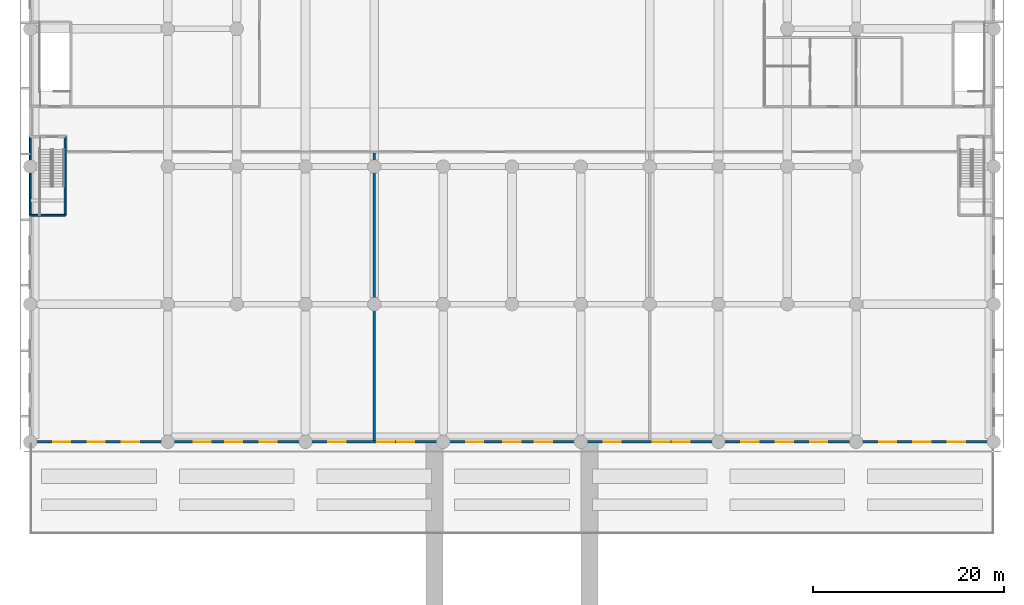
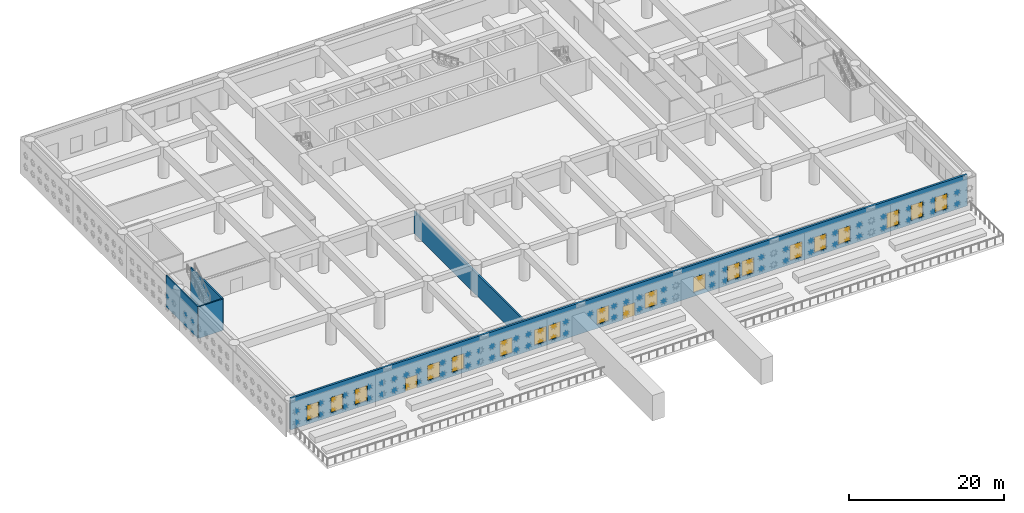
# One storey, part 3 of 24: 19 windows, 5 walls, 2 doors, 21 openings.
"""IFC4 building model written with IfcOpenShell, lengths in metres."""

from ifc_helpers import new_model, si_unit, direction, frame, frame_2d, origin, place, context, subcontext, project, spatial, rectangle, extrude, material, layer, layer_set, type_object, element, fill, save


model = new_model("IFC4")

# Units and contexts
model_context = context("Model", 3, precision=1e-05, world=origin(), true_north=direction((0.0, 1.0)))
body_context = subcontext(model_context, "Body", "Model", "MODEL_VIEW")
ifc_project = project(units=[si_unit("LENGTHUNIT", "METRE"), si_unit("AREAUNIT", "SQUARE_METRE"), si_unit("VOLUMEUNIT", "CUBIC_METRE"), si_unit("PLANEANGLEUNIT", "RADIAN"), si_unit("MASSUNIT", "GRAM", prefix="KILO")], contexts=[model_context])

# Site, building, storey
site_placement = place(None, origin())
site = spatial("IfcSite", under=ifc_project, at=site_placement, CompositionType="ELEMENT")
building_placement = place(site_placement, origin())
building = spatial("IfcBuilding", under=site, at=building_placement, Name="Saffron Iwan Residences", CompositionType="ELEMENT")
storey_placement = place(building_placement, frame((0.0, 0.0, 21.60009765625)))
storey = spatial("IfcBuildingStorey", under=building, at=storey_placement, Name="L04", CompositionType="ELEMENT", Elevation=21.60009765625)

# Wall
ifc_material_1 = material(Name="Concrete C40/50", Category="concrete")
ifc_layer_1 = layer(ifc_material_1, 0.25)
ifc_layer_set_1 = layer_set([ifc_layer_1], Name="Concrete C40/50")
wall_type_1 = type_object("IfcWallType", Name="Fire compartment wall 250", PredefinedType="SOLIDWALL", material=ifc_layer_set_1)
wall_1_placement = place(storey_placement, frame((36.0, 19.35009765625, 0.0), z_axis=(0.0, 0.0, 1.0), x_axis=(0.0, 1.0, 0.0)))
element("IfcWall", 1, at=wall_1_placement, inside=storey, type_object=wall_type_1, Name="W-L04-026", PredefinedType="SOLIDWALL", context=body_context, shape_type="SweptSolid", body=[
    extrude(rectangle(XDim=30.074951171875, YDim=0.25, at=frame_2d((15.03759765625, 0.0))), origin(), (0.0, 0.0, 1.0), 3.449951171875),
])

# Wall, openings, doors, windows
ifc_material_2 = material(Name="Precast concrete C40/50", Category="concrete")
ifc_layer_2 = layer(ifc_material_2, 0.300048828125)
ifc_layer_set_2 = layer_set([ifc_layer_2], Name="Precast concrete C40/50")
wall_type_2 = type_object("IfcWallType", Name="Podium external wall 300", PredefinedType="SOLIDWALL", material=ifc_layer_set_2)
wall_2_placement = place(storey_placement, frame((0.0, 19.199951171875, 0.0), z_axis=(0.0, 0.0, 1.0), x_axis=(1.0, 0.0, 0.0)))
wall_2 = element("IfcWall", 2, at=wall_2_placement, inside=storey, type_object=wall_type_2, Name="W-L04-001", PredefinedType="SOLIDWALL", context=body_context, shape_type="SweptSolid", body=[
    extrude(rectangle(XDim=100.800048828125, YDim=0.300048828125, at=frame_2d((50.39990234375, 0.0))), origin(), (0.0, 0.0, 1.0), 4.949951171875),
])
opening_1_placement = place(wall_2_placement, frame((17.10009765625, 0.0, 0.0)))
opening_1 = element("IfcOpeningElement", 3, at=opening_1_placement, cuts=wall_2, Name="Opening L04.15", PredefinedType="OPENING", context=body_context, shape_type="SweptSolid", body=[
    extrude(rectangle(XDim=1.800048828125, YDim=2.10009765625, at=frame_2d((0.89990234375, 1.050048828125))), frame((0.0, 0.16015625, 0.0), z_axis=(0.0, -1.0, 0.0), x_axis=(1.0, 0.0, 0.0)), (0.0, 0.0, 1.0), 0.320068359375),
])
opening_2_placement = place(wall_2_placement, frame((49.5, 0.0, 0.0)))
opening_2 = element("IfcOpeningElement", 4, at=opening_2_placement, cuts=wall_2, Name="Opening L04.16", PredefinedType="OPENING", context=body_context, shape_type="SweptSolid", body=[
    extrude(rectangle(XDim=1.800048828125, YDim=2.10009765625, at=frame_2d((0.89990234375, 1.050048828125))), frame((0.0, 0.16015625, 0.0), z_axis=(0.0, -1.0, 0.0), x_axis=(1.0, 0.0, 0.0)), (0.0, 0.0, 1.0), 0.320068359375),
])
opening_3_placement = place(wall_2_placement, frame((2.39990234375, 0.0, 0.60009765625)))
opening_3 = element("IfcOpeningElement", 5, at=opening_3_placement, cuts=wall_2, Name="Opening W7", PredefinedType="OPENING", context=body_context, shape_type="SweptSolid", body=[
    extrude(rectangle(XDim=1.800048828125, YDim=2.39990234375, at=frame_2d((0.89990234375, 1.199951171875))), frame((0.0, 0.16015625, 0.0), z_axis=(0.0, -1.0, 0.0), x_axis=(1.0, 0.0, 0.0)), (0.0, 0.0, 1.0), 0.320068359375),
])
opening_4_placement = place(wall_2_placement, frame((6.0, 0.0, 0.60009765625)))
opening_4 = element("IfcOpeningElement", 6, at=opening_4_placement, cuts=wall_2, Name="Opening W7", PredefinedType="OPENING", context=body_context, shape_type="SweptSolid", body=[
    extrude(rectangle(XDim=1.800048828125, YDim=2.39990234375, at=frame_2d((0.89990234375, 1.199951171875))), frame((0.0, 0.16015625, 0.0), z_axis=(0.0, -1.0, 0.0), x_axis=(1.0, 0.0, 0.0)), (0.0, 0.0, 1.0), 0.320068359375),
])
opening_5_placement = place(wall_2_placement, frame((9.60009765625, 0.0, 0.60009765625)))
opening_5 = element("IfcOpeningElement", 7, at=opening_5_placement, cuts=wall_2, Name="Opening W7", PredefinedType="OPENING", context=body_context, shape_type="SweptSolid", body=[
    extrude(rectangle(XDim=1.800048828125, YDim=2.39990234375, at=frame_2d((0.89990234375, 1.199951171875))), frame((0.0, 0.16015625, 0.0), z_axis=(0.0, -1.0, 0.0), x_axis=(1.0, 0.0, 0.0)), (0.0, 0.0, 1.0), 0.320068359375),
])
opening_6_placement = place(wall_2_placement, frame((20.39990234375, 0.0, 0.60009765625)))
opening_6 = element("IfcOpeningElement", 8, at=opening_6_placement, cuts=wall_2, Name="Opening W7", PredefinedType="OPENING", context=body_context, shape_type="SweptSolid", body=[
    extrude(rectangle(XDim=1.800048828125, YDim=2.39990234375, at=frame_2d((0.89990234375, 1.199951171875))), frame((0.0, 0.16015625, 0.0), z_axis=(0.0, -1.0, 0.0), x_axis=(1.0, 0.0, 0.0)), (0.0, 0.0, 1.0), 0.320068359375),
])
opening_7_placement = place(wall_2_placement, frame((24.0, 0.0, 0.60009765625)))
opening_7 = element("IfcOpeningElement", 9, at=opening_7_placement, cuts=wall_2, Name="Opening W7", PredefinedType="OPENING", context=body_context, shape_type="SweptSolid", body=[
    extrude(rectangle(XDim=1.800048828125, YDim=2.39990234375, at=frame_2d((0.89990234375, 1.199951171875))), frame((0.0, 0.16015625, 0.0), z_axis=(0.0, -1.0, 0.0), x_axis=(1.0, 0.0, 0.0)), (0.0, 0.0, 1.0), 0.320068359375),
])
opening_8_placement = place(wall_2_placement, frame((31.199951171875, 0.0, 0.60009765625)))
opening_8 = element("IfcOpeningElement", 10, at=opening_8_placement, cuts=wall_2, Name="Opening W7", PredefinedType="OPENING", context=body_context, shape_type="SweptSolid", body=[
    extrude(rectangle(XDim=1.800048828125, YDim=2.39990234375, at=frame_2d((0.89990234375, 1.199951171875))), frame((0.0, 0.16015625, 0.0), z_axis=(0.0, -1.0, 0.0), x_axis=(1.0, 0.0, 0.0)), (0.0, 0.0, 1.0), 0.320068359375),
])
opening_9_placement = place(wall_2_placement, frame((36.300048828125, 0.0, 0.60009765625)))
opening_9 = element("IfcOpeningElement", 11, at=opening_9_placement, cuts=wall_2, Name="Opening W7", PredefinedType="OPENING", context=body_context, shape_type="SweptSolid", body=[
    extrude(rectangle(XDim=1.800048828125, YDim=2.39990234375, at=frame_2d((0.89990234375, 1.199951171875))), frame((0.0, 0.16015625, 0.0), z_axis=(0.0, -1.0, 0.0), x_axis=(1.0, 0.0, 0.0)), (0.0, 0.0, 1.0), 0.320068359375),
])
opening_10_placement = place(wall_2_placement, frame((38.39990234375, 0.0, 0.60009765625)))
opening_10 = element("IfcOpeningElement", 12, at=opening_10_placement, cuts=wall_2, Name="Opening W7", PredefinedType="OPENING", context=body_context, shape_type="SweptSolid", body=[
    extrude(rectangle(XDim=1.800048828125, YDim=2.39990234375, at=frame_2d((0.89990234375, 1.199951171875))), frame((0.0, 0.16015625, 0.0), z_axis=(0.0, -1.0, 0.0), x_axis=(1.0, 0.0, 0.0)), (0.0, 0.0, 1.0), 0.320068359375),
])
opening_11_placement = place(wall_2_placement, frame((45.60009765625, 0.0, 0.60009765625)))
opening_11 = element("IfcOpeningElement", 13, at=opening_11_placement, cuts=wall_2, Name="Opening W7", PredefinedType="OPENING", context=body_context, shape_type="SweptSolid", body=[
    extrude(rectangle(XDim=1.800048828125, YDim=2.39990234375, at=frame_2d((0.89990234375, 1.199951171875))), frame((0.0, 0.16015625, 0.0), z_axis=(0.0, -1.0, 0.0), x_axis=(1.0, 0.0, 0.0)), (0.0, 0.0, 1.0), 0.320068359375),
])
opening_12_placement = place(wall_2_placement, frame((52.800048828125, 0.0, 0.60009765625)))
opening_12 = element("IfcOpeningElement", 14, at=opening_12_placement, cuts=wall_2, Name="Opening W7", PredefinedType="OPENING", context=body_context, shape_type="SweptSolid", body=[
    extrude(rectangle(XDim=1.800048828125, YDim=2.39990234375, at=frame_2d((0.89990234375, 1.199951171875))), frame((0.0, 0.16015625, 0.0), z_axis=(0.0, -1.0, 0.0), x_axis=(1.0, 0.0, 0.0)), (0.0, 0.0, 1.0), 0.320068359375),
])
opening_13_placement = place(wall_2_placement, frame((60.0, 0.0, 0.60009765625)))
opening_13 = element("IfcOpeningElement", 15, at=opening_13_placement, cuts=wall_2, Name="Opening W7", PredefinedType="OPENING", context=body_context, shape_type="SweptSolid", body=[
    extrude(rectangle(XDim=1.800048828125, YDim=2.39990234375, at=frame_2d((0.89990234375, 1.199951171875))), frame((0.0, 0.16015625, 0.0), z_axis=(0.0, -1.0, 0.0), x_axis=(1.0, 0.0, 0.0)), (0.0, 0.0, 1.0), 0.320068359375),
])
opening_14_placement = place(wall_2_placement, frame((65.10009765625, 0.0, 0.60009765625)))
opening_14 = element("IfcOpeningElement", 16, at=opening_14_placement, cuts=wall_2, Name="Opening W7", PredefinedType="OPENING", context=body_context, shape_type="SweptSolid", body=[
    extrude(rectangle(XDim=1.800048828125, YDim=2.39990234375, at=frame_2d((0.89990234375, 1.199951171875))), frame((0.0, 0.16015625, 0.0), z_axis=(0.0, -1.0, 0.0), x_axis=(1.0, 0.0, 0.0)), (0.0, 0.0, 1.0), 0.320068359375),
])
opening_15_placement = place(wall_2_placement, frame((67.199951171875, 0.0, 0.60009765625)))
opening_15 = element("IfcOpeningElement", 17, at=opening_15_placement, cuts=wall_2, Name="Opening W7", PredefinedType="OPENING", context=body_context, shape_type="SweptSolid", body=[
    extrude(rectangle(XDim=1.800048828125, YDim=2.39990234375, at=frame_2d((0.89990234375, 1.199951171875))), frame((0.0, 0.16015625, 0.0), z_axis=(0.0, -1.0, 0.0), x_axis=(1.0, 0.0, 0.0)), (0.0, 0.0, 1.0), 0.320068359375),
])
opening_16_placement = place(wall_2_placement, frame((74.39990234375, 0.0, 0.60009765625)))
opening_16 = element("IfcOpeningElement", 18, at=opening_16_placement, cuts=wall_2, Name="Opening W7", PredefinedType="OPENING", context=body_context, shape_type="SweptSolid", body=[
    extrude(rectangle(XDim=1.800048828125, YDim=2.39990234375, at=frame_2d((0.89990234375, 1.199951171875))), frame((0.0, 0.16015625, 0.0), z_axis=(0.0, -1.0, 0.0), x_axis=(1.0, 0.0, 0.0)), (0.0, 0.0, 1.0), 0.320068359375),
])
opening_17_placement = place(wall_2_placement, frame((78.0, 0.0, 0.60009765625)))
opening_17 = element("IfcOpeningElement", 19, at=opening_17_placement, cuts=wall_2, Name="Opening W7", PredefinedType="OPENING", context=body_context, shape_type="SweptSolid", body=[
    extrude(rectangle(XDim=1.800048828125, YDim=2.39990234375, at=frame_2d((0.89990234375, 1.199951171875))), frame((0.0, 0.16015625, 0.0), z_axis=(0.0, -1.0, 0.0), x_axis=(1.0, 0.0, 0.0)), (0.0, 0.0, 1.0), 0.320068359375),
])
opening_18_placement = place(wall_2_placement, frame((81.60009765625, 0.0, 0.60009765625)))
opening_18 = element("IfcOpeningElement", 20, at=opening_18_placement, cuts=wall_2, Name="Opening W7", PredefinedType="OPENING", context=body_context, shape_type="SweptSolid", body=[
    extrude(rectangle(XDim=1.800048828125, YDim=2.39990234375, at=frame_2d((0.89990234375, 1.199951171875))), frame((0.0, 0.16015625, 0.0), z_axis=(0.0, -1.0, 0.0), x_axis=(1.0, 0.0, 0.0)), (0.0, 0.0, 1.0), 0.320068359375),
])
opening_19_placement = place(wall_2_placement, frame((88.800048828125, 0.0, 0.60009765625)))
opening_19 = element("IfcOpeningElement", 21, at=opening_19_placement, cuts=wall_2, Name="Opening W7", PredefinedType="OPENING", context=body_context, shape_type="SweptSolid", body=[
    extrude(rectangle(XDim=1.800048828125, YDim=2.39990234375, at=frame_2d((0.89990234375, 1.199951171875))), frame((0.0, 0.16015625, 0.0), z_axis=(0.0, -1.0, 0.0), x_axis=(1.0, 0.0, 0.0)), (0.0, 0.0, 1.0), 0.320068359375),
])
opening_20_placement = place(wall_2_placement, frame((92.39990234375, 0.0, 0.60009765625)))
opening_20 = element("IfcOpeningElement", 22, at=opening_20_placement, cuts=wall_2, Name="Opening W7", PredefinedType="OPENING", context=body_context, shape_type="SweptSolid", body=[
    extrude(rectangle(XDim=1.800048828125, YDim=2.39990234375, at=frame_2d((0.89990234375, 1.199951171875))), frame((0.0, 0.16015625, 0.0), z_axis=(0.0, -1.0, 0.0), x_axis=(1.0, 0.0, 0.0)), (0.0, 0.0, 1.0), 0.320068359375),
])
opening_21_placement = place(wall_2_placement, frame((96.0, 0.0, 0.60009765625)))
opening_21 = element("IfcOpeningElement", 23, at=opening_21_placement, cuts=wall_2, Name="Opening W7", PredefinedType="OPENING", context=body_context, shape_type="SweptSolid", body=[
    extrude(rectangle(XDim=1.800048828125, YDim=2.39990234375, at=frame_2d((0.89990234375, 1.199951171875))), frame((0.0, 0.16015625, 0.0), z_axis=(0.0, -1.0, 0.0), x_axis=(1.0, 0.0, 0.0)), (0.0, 0.0, 1.0), 0.320068359375),
])
ifc_material_3 = material(Name="Timber", Category="wood")
door_type = type_object("IfcDoorType", Name="Door 1800x2100", OperationType="DOUBLE_DOOR_SINGLE_SWING", PredefinedType="DOOR", material=ifc_material_3)
door_1_placement = place(opening_1_placement, origin())
door_1 = element("IfcDoor", 24, at=door_1_placement, inside=storey, type_object=door_type, Name="D-L04-015", OperationType="DOUBLE_DOOR_SINGLE_SWING", OverallHeight=2.10009765625, OverallWidth=1.800048828125, PredefinedType="DOOR", context=body_context, shape_type="SweptSolid", body=[
    extrude(rectangle(XDim=1.800048828125, YDim=2.10009765625, at=frame_2d((0.89990234375, 1.050048828125))), frame((0.0, 0.02490234375, 0.0), z_axis=(0.0, -1.0, 0.0), x_axis=(1.0, 0.0, 0.0)), (0.0, 0.0, 1.0), 0.050048828125),
])
fill(opening_1, door_1)
door_2_placement = place(opening_2_placement, origin())
door_2 = element("IfcDoor", 25, at=door_2_placement, inside=storey, type_object=door_type, Name="D-L04-016", OperationType="DOUBLE_DOOR_SINGLE_SWING", OverallHeight=2.10009765625, OverallWidth=1.800048828125, PredefinedType="DOOR", context=body_context, shape_type="SweptSolid", body=[
    extrude(rectangle(XDim=1.800048828125, YDim=2.10009765625, at=frame_2d((0.89990234375, 1.050048828125))), frame((0.0, 0.02490234375, 0.0), z_axis=(0.0, -1.0, 0.0), x_axis=(1.0, 0.0, 0.0)), (0.0, 0.0, 1.0), 0.050048828125),
])
fill(opening_2, door_2)
ifc_material_4 = material(Name="Clear glass, laminated double glazed", Category="glass")
window_type = type_object("IfcWindowType", Name="WINDOW 1800 x 2400 PODIUM", PartitioningType="DOUBLE_PANEL_VERTICAL", PredefinedType="WINDOW", material=ifc_material_4)
window_1_placement = place(opening_3_placement, origin())
window_1 = element("IfcWindow", 26, at=window_1_placement, inside=storey, type_object=window_type, Name="Window L04 W-L04-001.0", OverallHeight=2.39990234375, OverallWidth=1.800048828125, PartitioningType="DOUBLE_PANEL_VERTICAL", PredefinedType="WINDOW", context=body_context, shape_type="SweptSolid", body=[
    extrude(rectangle(XDim=1.800048828125, YDim=2.39990234375, at=frame_2d((0.89990234375, 1.199951171875))), frame((0.0, 0.030029296875, 0.0), z_axis=(0.0, -1.0, 0.0), x_axis=(1.0, 0.0, 0.0)), (0.0, 0.0, 1.0), 0.06005859375),
])
fill(opening_3, window_1)
window_2_placement = place(opening_4_placement, origin())
window_2 = element("IfcWindow", 27, at=window_2_placement, inside=storey, type_object=window_type, Name="Window L04 W-L04-001.1", OverallHeight=2.39990234375, OverallWidth=1.800048828125, PartitioningType="DOUBLE_PANEL_VERTICAL", PredefinedType="WINDOW", context=body_context, shape_type="SweptSolid", body=[
    extrude(rectangle(XDim=1.800048828125, YDim=2.39990234375, at=frame_2d((0.89990234375, 1.199951171875))), frame((0.0, 0.030029296875, 0.0), z_axis=(0.0, -1.0, 0.0), x_axis=(1.0, 0.0, 0.0)), (0.0, 0.0, 1.0), 0.06005859375),
])
fill(opening_4, window_2)
window_3_placement = place(opening_5_placement, origin())
window_3 = element("IfcWindow", 28, at=window_3_placement, inside=storey, type_object=window_type, Name="Window L04 W-L04-001.2", OverallHeight=2.39990234375, OverallWidth=1.800048828125, PartitioningType="DOUBLE_PANEL_VERTICAL", PredefinedType="WINDOW", context=body_context, shape_type="SweptSolid", body=[
    extrude(rectangle(XDim=1.800048828125, YDim=2.39990234375, at=frame_2d((0.89990234375, 1.199951171875))), frame((0.0, 0.030029296875, 0.0), z_axis=(0.0, -1.0, 0.0), x_axis=(1.0, 0.0, 0.0)), (0.0, 0.0, 1.0), 0.06005859375),
])
fill(opening_5, window_3)
window_4_placement = place(opening_6_placement, origin())
window_4 = element("IfcWindow", 29, at=window_4_placement, inside=storey, type_object=window_type, Name="Window L04 W-L04-001.3", OverallHeight=2.39990234375, OverallWidth=1.800048828125, PartitioningType="DOUBLE_PANEL_VERTICAL", PredefinedType="WINDOW", context=body_context, shape_type="SweptSolid", body=[
    extrude(rectangle(XDim=1.800048828125, YDim=2.39990234375, at=frame_2d((0.89990234375, 1.199951171875))), frame((0.0, 0.030029296875, 0.0), z_axis=(0.0, -1.0, 0.0), x_axis=(1.0, 0.0, 0.0)), (0.0, 0.0, 1.0), 0.06005859375),
])
fill(opening_6, window_4)
window_5_placement = place(opening_7_placement, origin())
window_5 = element("IfcWindow", 30, at=window_5_placement, inside=storey, type_object=window_type, Name="Window L04 W-L04-001.4", OverallHeight=2.39990234375, OverallWidth=1.800048828125, PartitioningType="DOUBLE_PANEL_VERTICAL", PredefinedType="WINDOW", context=body_context, shape_type="SweptSolid", body=[
    extrude(rectangle(XDim=1.800048828125, YDim=2.39990234375, at=frame_2d((0.89990234375, 1.199951171875))), frame((0.0, 0.030029296875, 0.0), z_axis=(0.0, -1.0, 0.0), x_axis=(1.0, 0.0, 0.0)), (0.0, 0.0, 1.0), 0.06005859375),
])
fill(opening_7, window_5)
window_6_placement = place(opening_8_placement, origin())
window_6 = element("IfcWindow", 31, at=window_6_placement, inside=storey, type_object=window_type, Name="Window L04 W-L04-001.5", OverallHeight=2.39990234375, OverallWidth=1.800048828125, PartitioningType="DOUBLE_PANEL_VERTICAL", PredefinedType="WINDOW", context=body_context, shape_type="SweptSolid", body=[
    extrude(rectangle(XDim=1.800048828125, YDim=2.39990234375, at=frame_2d((0.89990234375, 1.199951171875))), frame((0.0, 0.030029296875, 0.0), z_axis=(0.0, -1.0, 0.0), x_axis=(1.0, 0.0, 0.0)), (0.0, 0.0, 1.0), 0.06005859375),
])
fill(opening_8, window_6)
window_7_placement = place(opening_9_placement, origin())
window_7 = element("IfcWindow", 32, at=window_7_placement, inside=storey, type_object=window_type, Name="Window L04 W-L04-001.6", OverallHeight=2.39990234375, OverallWidth=1.800048828125, PartitioningType="DOUBLE_PANEL_VERTICAL", PredefinedType="WINDOW", context=body_context, shape_type="SweptSolid", body=[
    extrude(rectangle(XDim=1.800048828125, YDim=2.39990234375, at=frame_2d((0.89990234375, 1.199951171875))), frame((0.0, 0.030029296875, 0.0), z_axis=(0.0, -1.0, 0.0), x_axis=(1.0, 0.0, 0.0)), (0.0, 0.0, 1.0), 0.06005859375),
])
fill(opening_9, window_7)
window_8_placement = place(opening_10_placement, origin())
window_8 = element("IfcWindow", 33, at=window_8_placement, inside=storey, type_object=window_type, Name="Window L04 W-L04-001.7", OverallHeight=2.39990234375, OverallWidth=1.800048828125, PartitioningType="DOUBLE_PANEL_VERTICAL", PredefinedType="WINDOW", context=body_context, shape_type="SweptSolid", body=[
    extrude(rectangle(XDim=1.800048828125, YDim=2.39990234375, at=frame_2d((0.89990234375, 1.199951171875))), frame((0.0, 0.030029296875, 0.0), z_axis=(0.0, -1.0, 0.0), x_axis=(1.0, 0.0, 0.0)), (0.0, 0.0, 1.0), 0.06005859375),
])
fill(opening_10, window_8)
window_9_placement = place(opening_11_placement, origin())
window_9 = element("IfcWindow", 34, at=window_9_placement, inside=storey, type_object=window_type, Name="Window L04 W-L04-001.8", OverallHeight=2.39990234375, OverallWidth=1.800048828125, PartitioningType="DOUBLE_PANEL_VERTICAL", PredefinedType="WINDOW", context=body_context, shape_type="SweptSolid", body=[
    extrude(rectangle(XDim=1.800048828125, YDim=2.39990234375, at=frame_2d((0.89990234375, 1.199951171875))), frame((0.0, 0.030029296875, 0.0), z_axis=(0.0, -1.0, 0.0), x_axis=(1.0, 0.0, 0.0)), (0.0, 0.0, 1.0), 0.06005859375),
])
fill(opening_11, window_9)
window_10_placement = place(opening_12_placement, origin())
window_10 = element("IfcWindow", 35, at=window_10_placement, inside=storey, type_object=window_type, Name="Window L04 W-L04-001.9", OverallHeight=2.39990234375, OverallWidth=1.800048828125, PartitioningType="DOUBLE_PANEL_VERTICAL", PredefinedType="WINDOW", context=body_context, shape_type="SweptSolid", body=[
    extrude(rectangle(XDim=1.800048828125, YDim=2.39990234375, at=frame_2d((0.89990234375, 1.199951171875))), frame((0.0, 0.030029296875, 0.0), z_axis=(0.0, -1.0, 0.0), x_axis=(1.0, 0.0, 0.0)), (0.0, 0.0, 1.0), 0.06005859375),
])
fill(opening_12, window_10)
window_11_placement = place(opening_13_placement, origin())
window_11 = element("IfcWindow", 36, at=window_11_placement, inside=storey, type_object=window_type, Name="Window L04 W-L04-001.10", OverallHeight=2.39990234375, OverallWidth=1.800048828125, PartitioningType="DOUBLE_PANEL_VERTICAL", PredefinedType="WINDOW", context=body_context, shape_type="SweptSolid", body=[
    extrude(rectangle(XDim=1.800048828125, YDim=2.39990234375, at=frame_2d((0.89990234375, 1.199951171875))), frame((0.0, 0.030029296875, 0.0), z_axis=(0.0, -1.0, 0.0), x_axis=(1.0, 0.0, 0.0)), (0.0, 0.0, 1.0), 0.06005859375),
])
fill(opening_13, window_11)
window_12_placement = place(opening_14_placement, origin())
window_12 = element("IfcWindow", 37, at=window_12_placement, inside=storey, type_object=window_type, Name="Window L04 W-L04-001.11", OverallHeight=2.39990234375, OverallWidth=1.800048828125, PartitioningType="DOUBLE_PANEL_VERTICAL", PredefinedType="WINDOW", context=body_context, shape_type="SweptSolid", body=[
    extrude(rectangle(XDim=1.800048828125, YDim=2.39990234375, at=frame_2d((0.89990234375, 1.199951171875))), frame((0.0, 0.030029296875, 0.0), z_axis=(0.0, -1.0, 0.0), x_axis=(1.0, 0.0, 0.0)), (0.0, 0.0, 1.0), 0.06005859375),
])
fill(opening_14, window_12)
window_13_placement = place(opening_15_placement, origin())
window_13 = element("IfcWindow", 38, at=window_13_placement, inside=storey, type_object=window_type, Name="Window L04 W-L04-001.12", OverallHeight=2.39990234375, OverallWidth=1.800048828125, PartitioningType="DOUBLE_PANEL_VERTICAL", PredefinedType="WINDOW", context=body_context, shape_type="SweptSolid", body=[
    extrude(rectangle(XDim=1.800048828125, YDim=2.39990234375, at=frame_2d((0.89990234375, 1.199951171875))), frame((0.0, 0.030029296875, 0.0), z_axis=(0.0, -1.0, 0.0), x_axis=(1.0, 0.0, 0.0)), (0.0, 0.0, 1.0), 0.06005859375),
])
fill(opening_15, window_13)
window_14_placement = place(opening_16_placement, origin())
window_14 = element("IfcWindow", 39, at=window_14_placement, inside=storey, type_object=window_type, Name="Window L04 W-L04-001.13", OverallHeight=2.39990234375, OverallWidth=1.800048828125, PartitioningType="DOUBLE_PANEL_VERTICAL", PredefinedType="WINDOW", context=body_context, shape_type="SweptSolid", body=[
    extrude(rectangle(XDim=1.800048828125, YDim=2.39990234375, at=frame_2d((0.89990234375, 1.199951171875))), frame((0.0, 0.030029296875, 0.0), z_axis=(0.0, -1.0, 0.0), x_axis=(1.0, 0.0, 0.0)), (0.0, 0.0, 1.0), 0.06005859375),
])
fill(opening_16, window_14)
window_15_placement = place(opening_17_placement, origin())
window_15 = element("IfcWindow", 40, at=window_15_placement, inside=storey, type_object=window_type, Name="Window L04 W-L04-001.14", OverallHeight=2.39990234375, OverallWidth=1.800048828125, PartitioningType="DOUBLE_PANEL_VERTICAL", PredefinedType="WINDOW", context=body_context, shape_type="SweptSolid", body=[
    extrude(rectangle(XDim=1.800048828125, YDim=2.39990234375, at=frame_2d((0.89990234375, 1.199951171875))), frame((0.0, 0.030029296875, 0.0), z_axis=(0.0, -1.0, 0.0), x_axis=(1.0, 0.0, 0.0)), (0.0, 0.0, 1.0), 0.06005859375),
])
fill(opening_17, window_15)
window_16_placement = place(opening_18_placement, origin())
window_16 = element("IfcWindow", 41, at=window_16_placement, inside=storey, type_object=window_type, Name="Window L04 W-L04-001.15", OverallHeight=2.39990234375, OverallWidth=1.800048828125, PartitioningType="DOUBLE_PANEL_VERTICAL", PredefinedType="WINDOW", context=body_context, shape_type="SweptSolid", body=[
    extrude(rectangle(XDim=1.800048828125, YDim=2.39990234375, at=frame_2d((0.89990234375, 1.199951171875))), frame((0.0, 0.030029296875, 0.0), z_axis=(0.0, -1.0, 0.0), x_axis=(1.0, 0.0, 0.0)), (0.0, 0.0, 1.0), 0.06005859375),
])
fill(opening_18, window_16)
window_17_placement = place(opening_19_placement, origin())
window_17 = element("IfcWindow", 42, at=window_17_placement, inside=storey, type_object=window_type, Name="Window L04 W-L04-001.16", OverallHeight=2.39990234375, OverallWidth=1.800048828125, PartitioningType="DOUBLE_PANEL_VERTICAL", PredefinedType="WINDOW", context=body_context, shape_type="SweptSolid", body=[
    extrude(rectangle(XDim=1.800048828125, YDim=2.39990234375, at=frame_2d((0.89990234375, 1.199951171875))), frame((0.0, 0.030029296875, 0.0), z_axis=(0.0, -1.0, 0.0), x_axis=(1.0, 0.0, 0.0)), (0.0, 0.0, 1.0), 0.06005859375),
])
fill(opening_19, window_17)
window_18_placement = place(opening_20_placement, origin())
window_18 = element("IfcWindow", 43, at=window_18_placement, inside=storey, type_object=window_type, Name="Window L04 W-L04-001.17", OverallHeight=2.39990234375, OverallWidth=1.800048828125, PartitioningType="DOUBLE_PANEL_VERTICAL", PredefinedType="WINDOW", context=body_context, shape_type="SweptSolid", body=[
    extrude(rectangle(XDim=1.800048828125, YDim=2.39990234375, at=frame_2d((0.89990234375, 1.199951171875))), frame((0.0, 0.030029296875, 0.0), z_axis=(0.0, -1.0, 0.0), x_axis=(1.0, 0.0, 0.0)), (0.0, 0.0, 1.0), 0.06005859375),
])
fill(opening_20, window_18)
window_19_placement = place(opening_21_placement, origin())
window_19 = element("IfcWindow", 44, at=window_19_placement, inside=storey, type_object=window_type, Name="Window L04 W-L04-001.18", OverallHeight=2.39990234375, OverallWidth=1.800048828125, PartitioningType="DOUBLE_PANEL_VERTICAL", PredefinedType="WINDOW", context=body_context, shape_type="SweptSolid", body=[
    extrude(rectangle(XDim=1.800048828125, YDim=2.39990234375, at=frame_2d((0.89990234375, 1.199951171875))), frame((0.0, 0.030029296875, 0.0), z_axis=(0.0, -1.0, 0.0), x_axis=(1.0, 0.0, 0.0)), (0.0, 0.0, 1.0), 0.06005859375),
])
fill(opening_21, window_19)

# Walls
ifc_layer_3 = layer(ifc_material_1, 0.199951171875)
ifc_layer_set_3 = layer_set([ifc_layer_3], Name="Concrete C40/50")
wall_type_3 = type_object("IfcWallType", Name="Reinforced concrete stair wall 200", PredefinedType="SOLIDWALL", material=ifc_layer_set_3)
wall_3_placement = place(storey_placement, frame((0.0, 42.89990234375, 0.0), z_axis=(0.0, 0.0, 1.0), x_axis=(1.0, 0.0, 0.0)))
element("IfcWall", 45, at=wall_3_placement, inside=storey, type_object=wall_type_3, Name="W-L04-002", PredefinedType="SOLIDWALL", context=body_context, shape_type="SweptSolid", body=[
    extrude(rectangle(XDim=3.64990234375, YDim=0.199951171875, at=frame_2d((1.824951171875, 0.0))), origin(), (0.0, 0.0, 1.0), 4.949951171875),
])
for number, where, z_axis, x_axis, name in (
    (46, (0.0, 42.89990234375, 0.0), (0.0, 0.0, 1.0), (0.0, 1.0, 0.0), "W-L04-021"),
    (47, (3.64990234375, 42.89990234375, 0.0), (0.0, 0.0, 1.0), (0.0, 1.0, 0.0), "W-L04-023"),
):
    element("IfcWall", number, at=place(storey_placement, frame(where, z_axis=z_axis, x_axis=x_axis)), inside=storey, type_object=wall_type_3, Name=name, PredefinedType="SOLIDWALL", context=body_context, shape_type="SweptSolid", body=[
        extrude(rectangle(XDim=8.2001953125, YDim=0.199951171875, at=frame_2d((4.10009765625, 0.0))), origin(), (0.0, 0.0, 1.0), 4.949951171875),
    ])

save(model, "model.ifc")
